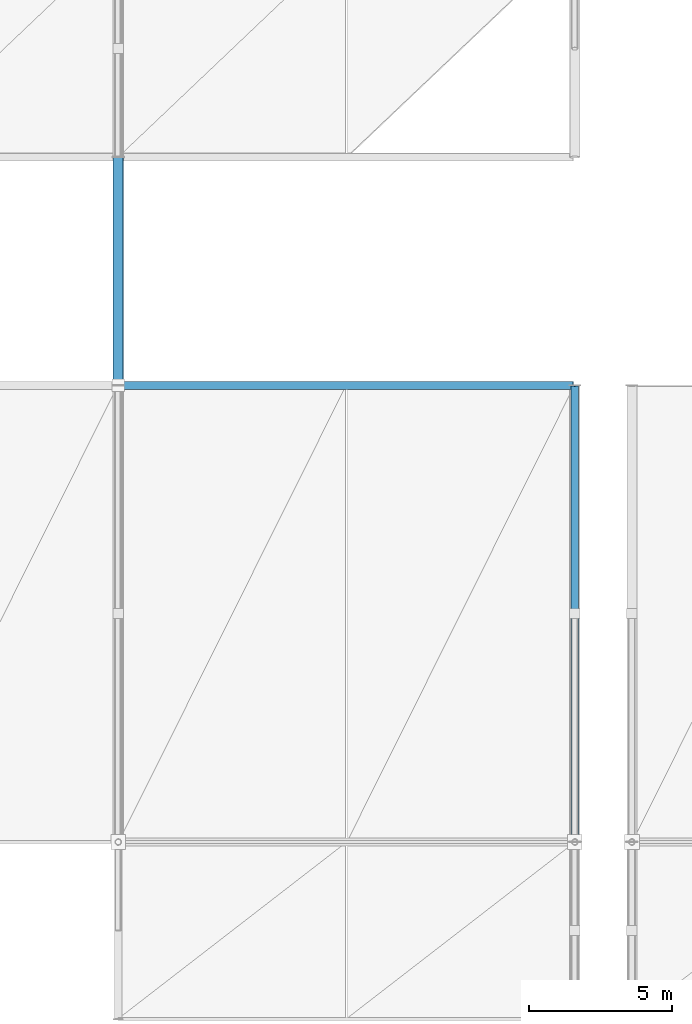
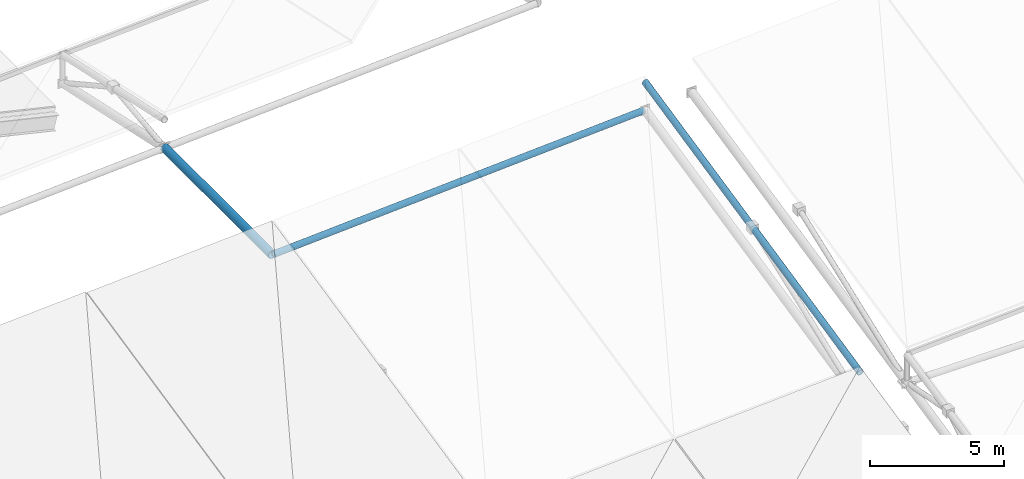
# One storey, part 18 of 67: 2 beams, 1 member.
"""IFC4 building model written with IfcOpenShell, lengths in metres."""

from ifc_helpers import new_model, si_unit, direction, frame, origin, origin_2d, place, context, subcontext, project, spatial, hollow_circle, extrude, material, material_profile, profile_set, type_object, element, save


model = new_model("IFC4")

# Units and contexts
model_context = context("Model", 3, precision=1e-05, world=origin(), true_north=direction((0.0, 1.0)))
body_context = subcontext(model_context, "Body", "Model", "MODEL_VIEW")
ifc_project = project(units=[si_unit("LENGTHUNIT", "METRE"), si_unit("AREAUNIT", "SQUARE_METRE"), si_unit("VOLUMEUNIT", "CUBIC_METRE"), si_unit("PLANEANGLEUNIT", "RADIAN"), si_unit("MASSUNIT", "GRAM", prefix="KILO")], contexts=[model_context])

# Site, building, storey
site_placement = place(None, origin())
site = spatial("IfcSite", under=ifc_project, at=site_placement, CompositionType="ELEMENT")
building_placement = place(site_placement, origin())
building = spatial("IfcBuilding", under=site, at=building_placement, Name="Drelvath Fold Interchange", CompositionType="ELEMENT")
storey_placement = place(building_placement, frame((0.0, 0.0, 15.60009765625)))
storey = spatial("IfcBuildingStorey", under=building, at=storey_placement, Name="L03", CompositionType="ELEMENT", Elevation=15.60009765625)

# Member
ifc_material = material(Name="Steel ASTM A500 Grade C", Category="steel")
ifc_material_profile_1 = material_profile(ifc_material, hollow_circle(Radius=0.136474609375, WallThickness=0.01171875, at=origin_2d()), Name="HSS10.750X0.500")
ifc_profile_set_1 = profile_set([ifc_material_profile_1], Name="Steel ASTM A500 Grade C")
member_type = type_object("IfcMemberType", Name="SF-CHD273", PredefinedType="CHORD", material=ifc_profile_set_1)
member_placement = place(storey_placement, frame((100.0, 27.0, 2.286865234375), z_axis=(0.0, 0.977052272987, 0.212999661624), x_axis=(-1.0, 0.0, 0.0)))
element("IfcMember", 1, at=member_placement, inside=storey, type_object=member_type, Name="L03 Space frame roof truss upper chord SF-CHD273", PredefinedType="CHORD", context=body_context, shape_type="SweptSolid", body=[
    extrude(hollow_circle(Radius=0.136474609375, WallThickness=0.01171875, at=origin_2d()), origin(), (0.0, 0.0, 1.0), 16.375732421875),
])

# Beams
ifc_material_profile_2 = material_profile(ifc_material, hollow_circle(Radius=0.177978515625, WallThickness=0.01171875, at=origin_2d()), Name="HSS14.000X0.500")
ifc_profile_set_2 = profile_set([ifc_material_profile_2], Name="Steel ASTM A500 Grade C")
beam_type_1 = type_object("IfcBeamType", Name="SF-RIB356", PredefinedType="BEAM", material=ifc_profile_set_2)
beam_1_placement = place(storey_placement, frame((84.0, 43.0, 3.5419921875), z_axis=(0.0, 1.0, 0.0), x_axis=(-1.0, 0.0, 0.0)))
element("IfcBeam", 2, at=beam_1_placement, inside=storey, type_object=beam_type_1, Name="Space frame roof truss main rib chord WEST", PredefinedType="BEAM", context=body_context, shape_type="SweptSolid", body=[
    extrude(hollow_circle(Radius=0.177978515625, WallThickness=0.01171875, at=origin_2d()), origin(), (0.0, 0.0, 1.0), 8.0),
])
ifc_material_profile_3 = material_profile(ifc_material, hollow_circle(Radius=0.136474609375, WallThickness=0.01171875, at=origin_2d()), Name="HSS10.750X0.500")
ifc_profile_set_3 = profile_set([ifc_material_profile_3], Name="Steel ASTM A500 Grade C")
beam_type_2 = type_object("IfcBeamType", Name="SF-TIE273", PredefinedType="BEAM", material=ifc_profile_set_3)
beam_2_placement = place(storey_placement, frame((84.050048828125, 43.0, 3.5419921875), z_axis=(0.998171300091, 0.0, 0.060448785547), x_axis=(0.0, 1.0, 0.0)))
element("IfcBeam", 3, at=beam_2_placement, inside=storey, type_object=beam_type_2, Name="Space frame roof truss longitudinal tie WEST", PredefinedType="BEAM", context=body_context, shape_type="SweptSolid", body=[
    extrude(hollow_circle(Radius=0.136474609375, WallThickness=0.01171875, at=origin_2d()), origin(), (0.0, 0.0, 1.0), 15.928955078125),
])

save(model, "model.ifc")
